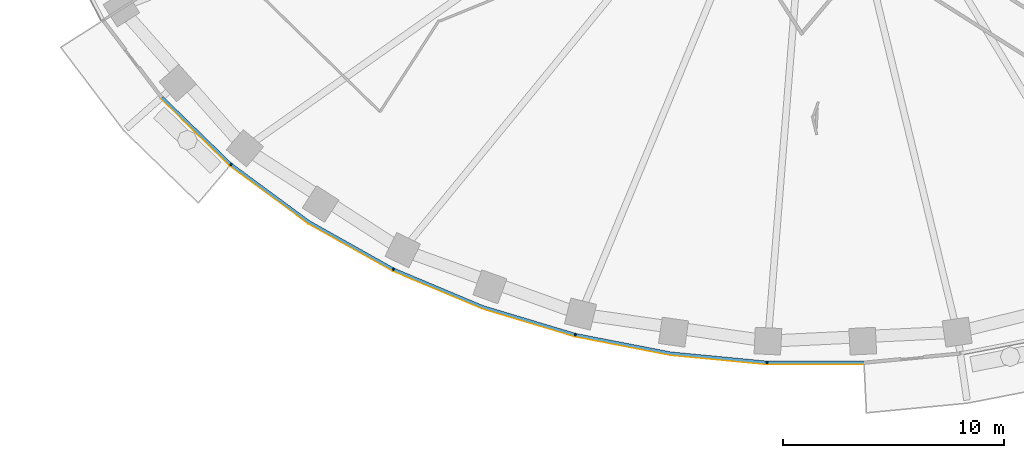
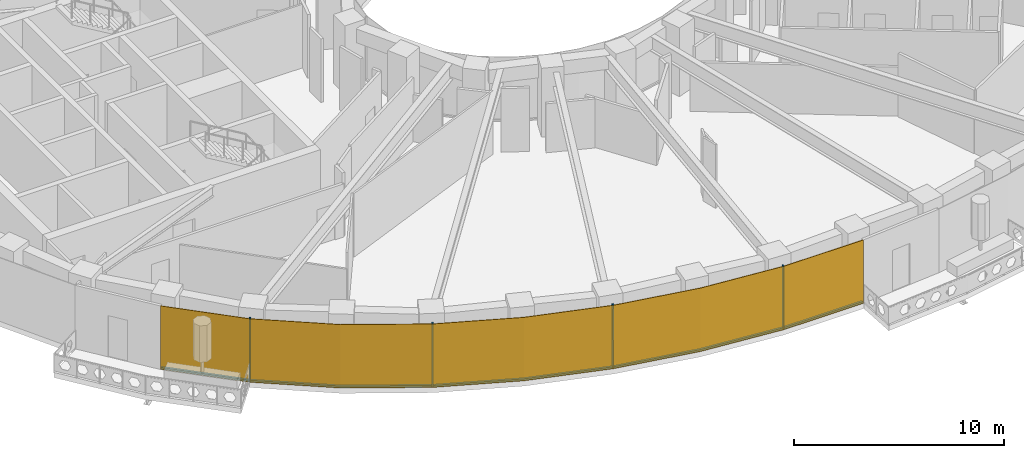
# One storey, part 8 of 16: 9 members, 1 curtain wall.
"""IFC4 building model written with IfcOpenShell, lengths in metres."""

from ifc_helpers import new_model, si_unit, direction, frame, origin, origin_2d, place, context, subcontext, project, spatial, polyline, rectangle, outline, extrude, material, layer, layer_set, material_profile, profile_set, type_object, element, aggregate, save


model = new_model("IFC4")

# Units and contexts
model_context = context("Model", 3, precision=1e-05, world=origin(), true_north=direction((0.0, 1.0)))
body_context = subcontext(model_context, "Body", "Model", "MODEL_VIEW")
ifc_project = project(units=[si_unit("LENGTHUNIT", "METRE"), si_unit("AREAUNIT", "SQUARE_METRE"), si_unit("VOLUMEUNIT", "CUBIC_METRE"), si_unit("PLANEANGLEUNIT", "RADIAN"), si_unit("MASSUNIT", "GRAM", prefix="KILO")], contexts=[model_context])

# Member
ifc_material_1 = material(Name="Aluminium 6063-T6 black anodised", Category="aluminium")
ifc_material_profile = material_profile(ifc_material_1, rectangle(XDim=0.1201171875, YDim=0.06005859375, at=origin_2d()), Name="120x60")
ifc_profile_set = profile_set([ifc_material_profile], Name="Aluminium 6063-T6 black anodised")
member_type_1 = type_object("IfcMemberType", Name="ENV-MULLION-A-120", PredefinedType="MULLION", material=ifc_profile_set)
site_placement = place(None, origin())
building_placement = place(site_placement, origin())
storey_placement = place(building_placement, frame((0.0, 0.0, 162.0)))
member_1_placement = place(storey_placement, frame((-26.403564453125, -18.9130859375, 0.0), z_axis=(0.0, 0.0, 1.0), x_axis=(0.646451313783, 0.762955240435, 0.0)))
member_1 = element("IfcMember", 1, at=member_1_placement, type_object=member_type_1, Name="Mullion A radial 29", PredefinedType="MULLION", context=body_context, shape_type="SweptSolid", body=[
    extrude(rectangle(XDim=0.1201171875, YDim=0.06005859375, at=origin_2d()), origin(), (0.0, 0.0, 1.0), 3.699951171875),
])

member_2_placement = place(storey_placement, frame((-19.06787109375, -23.6474609375, 0.0), z_axis=(0.0, 0.0, 1.0), x_axis=(0.439237769837, 0.898370848563, 0.0)))
member_2 = element("IfcMember", 2, at=member_2_placement, type_object=member_type_1, Name="Mullion A radial 31", PredefinedType="MULLION", context=body_context, shape_type="SweptSolid", body=[
    extrude(rectangle(XDim=0.1201171875, YDim=0.06005859375, at=origin_2d()), origin(), (0.0, 0.0, 1.0), 3.699951171875),
])

member_3_placement = place(storey_placement, frame((-10.84326171875, -26.60498046875, 0.0), z_axis=(0.0, 0.0, 1.0), x_axis=(0.239799081534, 0.970822538106, 0.0)))
member_3 = element("IfcMember", 3, at=member_3_placement, type_object=member_type_1, Name="Mullion A radial 33", PredefinedType="MULLION", context=body_context, shape_type="SweptSolid", body=[
    extrude(rectangle(XDim=0.1201171875, YDim=0.06005859375, at=origin_2d()), origin(), (0.0, 0.0, 1.0), 3.699951171875),
])

member_4_placement = place(storey_placement, frame((-2.188720703125, -27.856201171875, 0.0), z_axis=(0.0, 0.0, 1.0), x_axis=(0.047557873581, 0.998868484166, 0.0)))
member_4 = element("IfcMember", 4, at=member_4_placement, type_object=member_type_1, Name="Mullion A radial 35", PredefinedType="MULLION", context=body_context, shape_type="SweptSolid", body=[
    extrude(rectangle(XDim=0.1201171875, YDim=0.06005859375, at=origin_2d()), origin(), (0.0, 0.0, 1.0), 3.699951171875),
])

ifc_material_2 = material(Name="Aluminium 6063-T6 black anodised", Category="aluminium")
member_type_2 = type_object("IfcMemberType", Name="ENV-TRANSOM-A", PredefinedType="USERDEFINED", material=ifc_material_2)
member_5_placement = place(storey_placement, origin())
member_5 = element("IfcMember", 5, at=member_5_placement, type_object=member_type_2, Name="Transom A radial 28-29", ObjectType="TRANSOM", PredefinedType="USERDEFINED", context=body_context, shape_type="SweptSolid", body=[
    extrude(outline(polyline([(-29.569091796875, -15.9208984375), (-26.46240234375, -18.939208984375), (-26.384765625, -18.847412109375), (-29.47900390625, -15.841064453125), (-29.569091796875, -15.9208984375)])), origin(), (0.0, 0.0, 1.0), 0.10009765625),
])

member_6_placement = place(storey_placement, origin())
member_6 = element("IfcMember", 6, at=member_6_placement, type_object=member_type_2, Name="Transom A radial 29-31", ObjectType="TRANSOM", PredefinedType="USERDEFINED", context=body_context, shape_type="SweptSolid", body=[
    extrude(outline(polyline([(-26.419921875, -18.975341796875), (-22.9150390625, -21.556884765625), (-19.11865234375, -23.687744140625), (-19.06591796875, -23.57958984375), (-22.85009765625, -21.455810546875), (-26.342041015625, -18.883544921875), (-26.419921875, -18.975341796875)])), origin(), (0.0, 0.0, 1.0), 0.10009765625),
])

member_7_placement = place(storey_placement, origin())
member_7 = element("IfcMember", 7, at=member_7_placement, type_object=member_type_2, Name="Transom A radial 31-33", ObjectType="TRANSOM", PredefinedType="USERDEFINED", context=body_context, shape_type="SweptSolid", body=[
    extrude(outline(polyline([(-19.068359375, -23.71240234375), (-15.054443359375, -25.400146484375), (-10.884521484375, -26.655029296875), (-10.855712890625, -26.53857421875), (-15.013916015625, -25.287109375), (-19.015380859375, -23.604248046875), (-19.068359375, -23.71240234375)])), origin(), (0.0, 0.0, 1.0), 0.10009765625),
])

member_8_placement = place(storey_placement, origin())
member_8 = element("IfcMember", 8, at=member_8_placement, type_object=member_type_2, Name="Transom A radial 33-35", ObjectType="TRANSOM", PredefinedType="USERDEFINED", context=body_context, shape_type="SweptSolid", body=[
    extrude(outline(polyline([(-10.830078125, -26.66845703125), (-6.55517578125, -27.49951171875), (-2.219482421875, -27.913330078125), (-2.2138671875, -27.793212890625), (-6.537841796875, -27.380615234375), (-10.80126953125, -26.552001953125), (-10.830078125, -26.66845703125)])), origin(), (0.0, 0.0, 1.0), 0.10009765625),
])

member_9_placement = place(storey_placement, origin())
member_9 = element("IfcMember", 9, at=member_9_placement, type_object=member_type_2, Name="Transom A radial 35-36", ObjectType="TRANSOM", PredefinedType="USERDEFINED", context=body_context, shape_type="SweptSolid", body=[
    extrude(outline(polyline([(-2.163818359375, -27.916015625), (2.171630859375, -27.916015625), (2.166015625, -27.7958984375), (-2.157958984375, -27.7958984375), (-2.163818359375, -27.916015625)])), origin(), (0.0, 0.0, 1.0), 0.10009765625),
])

# Site, building, storey
site = spatial("IfcSite", under=ifc_project, at=site_placement, CompositionType="ELEMENT")
building = spatial("IfcBuilding", under=site, at=building_placement, Name="Noorbagh Ring Tower", CompositionType="ELEMENT")
storey = spatial("IfcBuildingStorey", under=building, at=storey_placement, Name="L37", CompositionType="ELEMENT", Elevation=162.0)

# Curtain wall
ifc_material_3 = material(Name="Glass dark tinted laminated", Category="glass")
ifc_layer = layer(ifc_material_3, 0.031982421875)
ifc_layer_set = layer_set([ifc_layer], Name="Glass dark tinted laminated")
curtain_wall_type = type_object("IfcCurtainWallType", Name="ENV-CW-A", PredefinedType="NOTDEFINED", material=ifc_layer_set)
curtain_wall_placement = place(storey_placement, origin())
curtain_wall = element("IfcCurtainWall", 10, at=curtain_wall_placement, inside=storey, type_object=curtain_wall_type, Name="Curtain wall A R28", PredefinedType="NOTDEFINED", context=body_context, shape_type="SweptSolid", body=[
    extrude(outline(polyline([(-29.59326171875, -15.942138671875), (-26.463134765625, -18.9833984375), (-22.9326171875, -21.583740234375), (-19.108154296875, -23.730224609375), (-15.065185546875, -25.430419921875), (-10.865234375, -26.6943359375), (-6.559814453125, -27.53125), (-2.193115234375, -27.947998046875), (2.173095703125, -27.947998046875), (2.171630859375, -27.916015625), (-2.191650390625, -27.916015625), (-6.55517578125, -27.49951171875), (-10.857666015625, -26.6630859375), (-15.054443359375, -25.400146484375), (-19.093994140625, -23.701416015625), (-22.9150390625, -21.556884765625), (-26.4423828125, -18.958740234375), (-29.569091796875, -15.9208984375), (-29.59326171875, -15.942138671875)])), origin(), (0.0, 0.0, 1.0), 3.699951171875),
])

aggregate(curtain_wall, [member_1, member_2, member_3, member_4, member_5, member_6, member_7, member_8, member_9])

save(model, "model.ifc")
